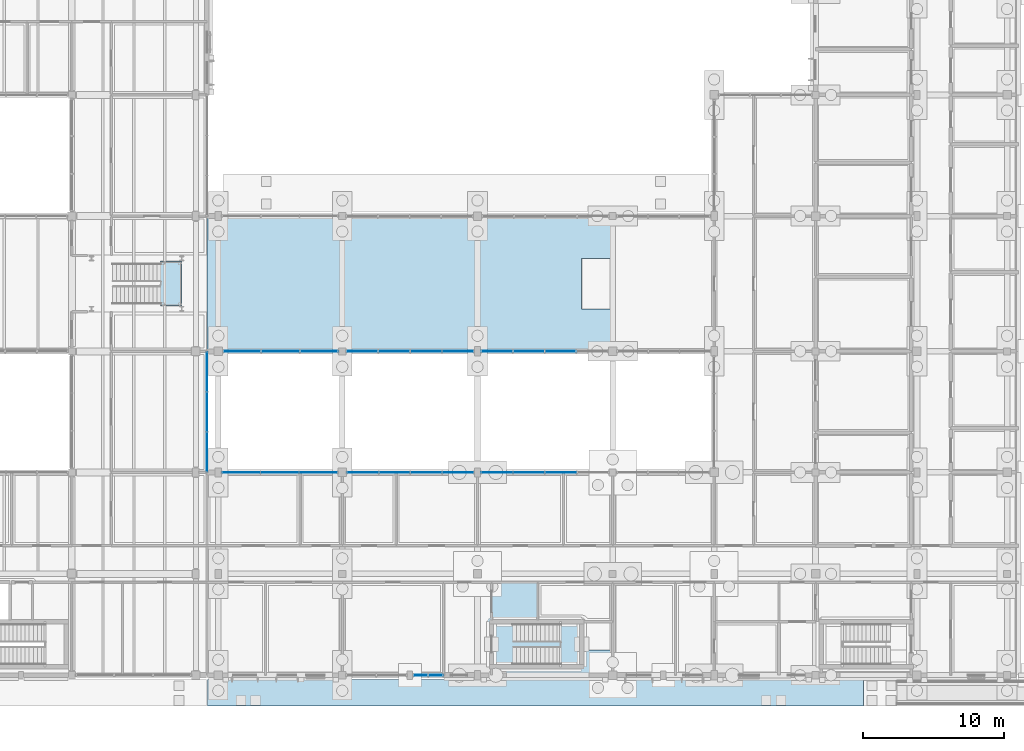
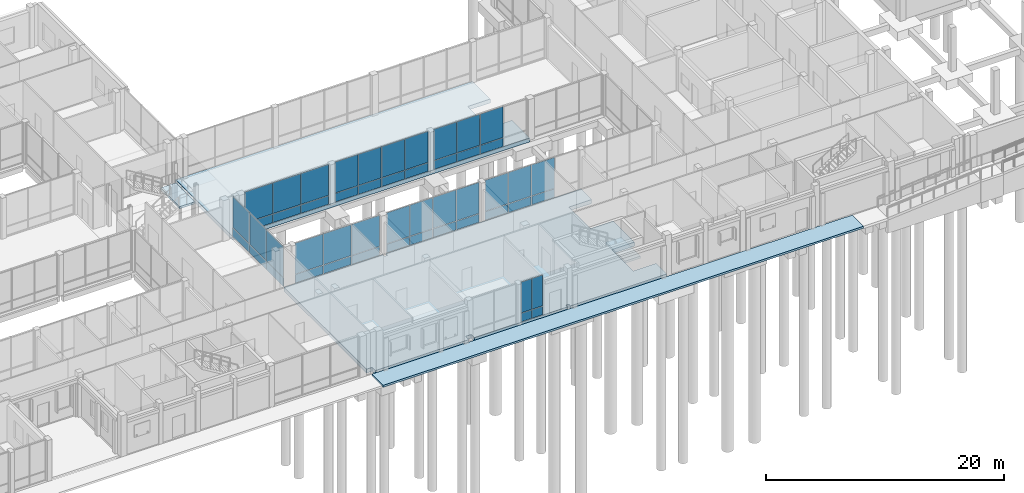
# One storey, part 66 of 104: 50 plates, 5 slabs, 10 elements without a shape of their own.
"""IFC4 building model written with IfcOpenShell, lengths in metres."""

from ifc_helpers import new_model, si_unit, direction, frame, origin, origin_2d, place, context, subcontext, project, spatial, polyline, rectangle, outline, extrude, material, layer, layer_set, type_object, element, aggregate, save


model = new_model("IFC4")

# Units and contexts
model_context = context("Model", 3, precision=1e-05, world=origin(), true_north=direction((0.0, 1.0)))
body_context = subcontext(model_context, "Body", "Model", "MODEL_VIEW")
ifc_project = project(units=[si_unit("LENGTHUNIT", "METRE"), si_unit("AREAUNIT", "SQUARE_METRE"), si_unit("VOLUMEUNIT", "CUBIC_METRE"), si_unit("PLANEANGLEUNIT", "RADIAN"), si_unit("MASSUNIT", "GRAM", prefix="KILO")], contexts=[model_context])

# Site, building, storey
site_placement = place(None, origin())
site = spatial("IfcSite", under=ifc_project, at=site_placement, CompositionType="ELEMENT")
building_placement = place(site_placement, origin())
building = spatial("IfcBuilding", under=site, at=building_placement, Name="Hawrajan Terrace Health Centre", CompositionType="ELEMENT")
storey_placement = place(building_placement, origin())
storey = spatial("IfcBuildingStorey", under=building, at=storey_placement, Name="L00", CompositionType="ELEMENT", Elevation=0.0)

# Slabs
ifc_material_1 = material(Name="Concrete C40/50", Category="concrete")
ifc_layer_1 = layer(ifc_material_1, 0.39990234375)
ifc_layer_set_1 = layer_set([ifc_layer_1], Name="Concrete C40/50")
slab_type_1 = type_object("IfcSlabType", Name="BaseSlab_RC400", PredefinedType="BASESLAB", material=ifc_layer_set_1)
slab_1_placement = place(storey_placement, frame((0.0, 0.0, -0.39990234375)))
element("IfcSlab", 1, at=slab_1_placement, inside=storey, type_object=slab_type_1, Name="Structural slab SL-L00-C-V1-Z3-1", PredefinedType="BASESLAB", context=body_context, shape_type="SweptSolid", body=[
    extrude(outline(polyline([(71.804931640625, 36.800048828125), (81.39990234375, 36.800048828125), (91.0, 36.800048828125), (100.60009765625, 36.800048828125), (100.60009765625, 33.800048828125), (98.39990234375, 33.800048828125), (98.39990234375, 30.199951171875), (100.60009765625, 30.199951171875), (100.60009765625, 27.199951171875), (91.0, 27.199951171875), (81.39990234375, 27.199951171875), (71.804931640625, 27.199951171875), (71.804931640625, 36.800048828125)])), origin(), (0.0, 0.0, 1.0), 0.39990234375),
])
slab_2_placement = place(storey_placement, frame((0.0, 0.0, -0.39990234375)))
element("IfcSlab", 2, at=slab_2_placement, inside=storey, type_object=slab_type_1, Name="Structural slab SL-L00-C-V3-Z3-1", PredefinedType="BASESLAB", context=body_context, shape_type="SweptSolid", body=[
    extrude(outline(polyline([(81.39990234375, 18.60009765625), (81.39990234375, 18.320068359375), (81.679931640625, 18.320068359375), (81.679931640625, 18.60009765625), (91.0, 18.60009765625), (100.60009765625, 18.60009765625), (100.60009765625, 18.320068359375), (100.60009765625, 16.800048828125), (98.39990234375, 16.800048828125), (98.39990234375, 13.199951171875), (100.60009765625, 13.199951171875), (100.60009765625, 11.39990234375), (100.60009765625, 9.60009765625), (98.39990234375, 9.60009765625), (98.39990234375, 6.0), (100.60009765625, 6.0), (100.60009765625, 4.199951171875), (91.280029296875, 4.199951171875), (91.280029296875, 4.47998046875), (91.0, 4.47998046875), (91.0, 4.199951171875), (81.949951171875, 4.199951171875), (81.949951171875, 4.75), (81.39990234375, 4.75), (81.39990234375, 4.199951171875), (72.35009765625, 4.199951171875), (72.35009765625, 4.75), (71.804931640625, 4.75), (71.804931640625, 11.39990234375), (71.804931640625, 18.60009765625), (81.39990234375, 18.60009765625)])), origin(), (0.0, 0.0, 1.0), 0.39990234375),
])

# Curtain wall, plates
ifc_material_2 = material(Name="Anodized bronze aluminium and low-E solar glazing", Category="aluminium")
curtain_wall_type_1 = type_object("IfcCurtainWallType", Name="CW_Hall_SeriesD2", PredefinedType="USERDEFINED", material=ifc_material_2)
curtain_wall_1_placement = place(storey_placement, origin())
curtain_wall_1 = element("IfcCurtainWall", 3, at=curtain_wall_1_placement, inside=storey, type_object=curtain_wall_type_1, Name="Curtain wall CW-L00-035", ObjectType="UNITISED CURTAIN WALL", PredefinedType="USERDEFINED")
ifc_material_3 = material(Name="Diffused north-light insulated glazing", Category="glass")
ifc_layer_2 = layer(ifc_material_3, 0.031982421875)
ifc_layer_set_2 = layer_set([ifc_layer_2], Name="Diffused north-light insulated glazing")
plate_type_1 = type_object("IfcPlateType", Name="ClerestoryGlassPanel_32", PredefinedType="CURTAIN_PANEL", material=ifc_layer_set_2)
plate_1_placement = place(storey_placement, frame((74.300048828125, 27.199951171875, 0.981689453125), z_axis=(0.0, 0.0, 1.0), x_axis=(1.0, 0.0, 0.0)))
plate_1 = element("IfcPlate", 4, at=plate_1_placement, type_object=plate_type_1, Name="Curtain panel CW-L00-035-P1-2", PredefinedType="CURTAIN_PANEL", context=body_context, shape_type="SweptSolid", body=[
    extrude(rectangle(XDim=2.662109375, YDim=0.031982421875, at=origin_2d()), origin(), (0.0, 0.0, 1.0), 3.1494140625),
])
plate_2_placement = place(storey_placement, frame((77.02490234375, 27.199951171875, 0.981689453125), z_axis=(0.0, 0.0, 1.0), x_axis=(1.0, 0.0, 0.0)))
plate_2 = element("IfcPlate", 5, at=plate_2_placement, type_object=plate_type_1, Name="Curtain panel CW-L00-035-P2-2", PredefinedType="CURTAIN_PANEL", context=body_context, shape_type="SweptSolid", body=[
    extrude(rectangle(XDim=2.662109375, YDim=0.031982421875, at=origin_2d()), origin(), (0.0, 0.0, 1.0), 3.1494140625),
])
plate_3_placement = place(storey_placement, frame((79.75, 27.199951171875, 0.981689453125), z_axis=(0.0, 0.0, 1.0), x_axis=(1.0, 0.0, 0.0)))
plate_3 = element("IfcPlate", 6, at=plate_3_placement, type_object=plate_type_1, Name="Curtain panel CW-L00-035-P3-2", PredefinedType="CURTAIN_PANEL", context=body_context, shape_type="SweptSolid", body=[
    extrude(rectangle(XDim=2.662109375, YDim=0.031982421875, at=origin_2d()), origin(), (0.0, 0.0, 1.0), 3.1494140625),
])

curtain_wall_type_2 = type_object("IfcCurtainWallType", Name="CW_Garden_SeriesF1", PredefinedType="USERDEFINED", material=ifc_material_2)
curtain_wall_2_placement = place(storey_placement, origin())
curtain_wall_2 = element("IfcCurtainWall", 7, at=curtain_wall_2_placement, inside=storey, type_object=curtain_wall_type_2, Name="Curtain wall CW-L00-038", ObjectType="UNITISED CURTAIN WALL", PredefinedType="USERDEFINED")
plate_4_placement = place(storey_placement, frame((86.96875, 4.199951171875, 0.981689453125), z_axis=(0.0, 0.0, 1.0), x_axis=(1.0, 0.0, 0.0)))
plate_4 = element("IfcPlate", 8, at=plate_4_placement, type_object=plate_type_1, Name="Curtain panel CW-L00-038-P1-2", PredefinedType="CURTAIN_PANEL", context=body_context, shape_type="SweptSolid", body=[
    extrude(rectangle(XDim=0.99951171875, YDim=0.031982421875, at=origin_2d()), origin(), (0.0, 0.0, 1.0), 3.1494140625),
])
plate_5_placement = place(storey_placement, frame((88.03125, 4.199951171875, 0.981689453125), z_axis=(0.0, 0.0, 1.0), x_axis=(1.0, 0.0, 0.0)))
plate_5 = element("IfcPlate", 9, at=plate_5_placement, type_object=plate_type_1, Name="Curtain panel CW-L00-038-P2-2", PredefinedType="CURTAIN_PANEL", context=body_context, shape_type="SweptSolid", body=[
    extrude(rectangle(XDim=0.99951171875, YDim=0.031982421875, at=origin_2d()), origin(), (0.0, 0.0, 1.0), 3.1494140625),
])

# Slab
ifc_layer_3 = layer(ifc_material_1, 0.199951171875)
ifc_layer_set_3 = layer_set([ifc_layer_3], Name="Concrete C40/50")
slab_type_2 = type_object("IfcSlabType", Name="SiteApronPaving_RC200", PredefinedType="BASESLAB", material=ifc_layer_set_3)
slab_3_placement = place(storey_placement, frame((0.0, 0.0, -0.199951171875)))
element("IfcSlab", 10, at=slab_3_placement, inside=storey, type_object=slab_type_2, Name="South street promenade east apron APRON-L00-SOUTH-E", PredefinedType="BASESLAB", context=body_context, shape_type="SweptSolid", body=[
    extrude(outline(polyline([(71.824951171875, 2.0), (118.39990234375, 2.0), (118.39990234375, 3.889892578125), (71.824951171875, 3.889892578125), (71.824951171875, 2.0)])), origin(), (0.0, 0.0, 1.0), 0.199951171875),
])

# Curtain wall, plates
curtain_wall_type_3 = type_object("IfcCurtainWallType", Name="CW_Hall_SeriesD1", PredefinedType="USERDEFINED", material=ifc_material_2)
curtain_wall_3_placement = place(storey_placement, origin())
curtain_wall_3 = element("IfcCurtainWall", 11, at=curtain_wall_3_placement, inside=storey, type_object=curtain_wall_type_3, Name="Curtain wall CW-L00-034", ObjectType="UNITISED CURTAIN WALL", PredefinedType="USERDEFINED")
ifc_material_4 = material(Name="Insulated anodized bronze spandrel panel")
ifc_layer_4 = layer(ifc_material_4, 0.048095703125)
ifc_layer_set_4 = layer_set([ifc_layer_4], Name="Insulated anodized bronze spandrel panel")
plate_type_2 = type_object("IfcPlateType", Name="SpandrelPanel_Bronze48", PredefinedType="CURTAIN_PANEL", material=ifc_layer_set_4)
plate_6_placement = place(storey_placement, frame((74.225830078125, 18.60009765625, 0.05908203125), z_axis=(0.0, 0.0, 1.0), x_axis=(1.0, 0.0, 0.0)))
plate_6 = element("IfcPlate", 12, at=plate_6_placement, type_object=plate_type_2, Name="Curtain panel CW-L00-034-P1-1", PredefinedType="CURTAIN_PANEL", context=body_context, shape_type="SweptSolid", body=[
    extrude(rectangle(XDim=2.68359375, YDim=0.048095703125, at=origin_2d()), origin(), (0.0, 0.0, 1.0), 0.864501953125),
])
plate_7_placement = place(storey_placement, frame((76.96240234375, 18.60009765625, 0.05908203125), z_axis=(0.0, 0.0, 1.0), x_axis=(1.0, 0.0, 0.0)))
plate_7 = element("IfcPlate", 13, at=plate_7_placement, type_object=plate_type_2, Name="Curtain panel CW-L00-034-P2-1", PredefinedType="CURTAIN_PANEL", context=body_context, shape_type="SweptSolid", body=[
    extrude(rectangle(XDim=2.68359375, YDim=0.048095703125, at=origin_2d()), origin(), (0.0, 0.0, 1.0), 0.864501953125),
])
plate_8_placement = place(storey_placement, frame((79.69921875, 18.60009765625, 0.05908203125), z_axis=(0.0, 0.0, 1.0), x_axis=(1.0, 0.0, 0.0)))
plate_8 = element("IfcPlate", 14, at=plate_8_placement, type_object=plate_type_2, Name="Curtain panel CW-L00-034-P3-1", PredefinedType="CURTAIN_PANEL", context=body_context, shape_type="SweptSolid", body=[
    extrude(rectangle(XDim=2.68359375, YDim=0.048095703125, at=origin_2d()), origin(), (0.0, 0.0, 1.0), 0.864501953125),
])

# Plate
plate_9_placement = place(storey_placement, frame((86.96875, 4.199951171875, 0.06884765625), z_axis=(0.0, 0.0, 1.0), x_axis=(1.0, 0.0, 0.0)))
plate_9 = element("IfcPlate", 15, at=plate_9_placement, type_object=plate_type_2, Name="Curtain panel CW-L00-038-P1-1", PredefinedType="CURTAIN_PANEL", context=body_context, shape_type="SweptSolid", body=[
    extrude(rectangle(XDim=0.99951171875, YDim=0.048095703125, at=origin_2d()), origin(), (0.0, 0.0, 1.0), 0.849609375),
])

plate_10_placement = place(storey_placement, frame((88.03125, 4.199951171875, 0.06884765625), z_axis=(0.0, 0.0, 1.0), x_axis=(1.0, 0.0, 0.0)))
plate_10 = element("IfcPlate", 16, at=plate_10_placement, type_object=plate_type_2, Name="Curtain panel CW-L00-038-P2-1", PredefinedType="CURTAIN_PANEL", context=body_context, shape_type="SweptSolid", body=[
    extrude(rectangle(XDim=0.99951171875, YDim=0.048095703125, at=origin_2d()), origin(), (0.0, 0.0, 1.0), 0.849609375),
])

aggregate(curtain_wall_2, [plate_9, plate_4, plate_10, plate_5])

# Curtain wall, plates
curtain_wall_type_4 = type_object("IfcCurtainWallType", Name="CW_Clerestory_SeriesG1", PredefinedType="USERDEFINED", material=ifc_material_2)
curtain_wall_4_placement = place(storey_placement, origin())
curtain_wall_4 = element("IfcCurtainWall", 17, at=curtain_wall_4_placement, inside=storey, type_object=curtain_wall_type_4, Name="Curtain wall CW-L00-040", ObjectType="UNITISED CURTAIN WALL", PredefinedType="USERDEFINED")
plate_11_placement = place(storey_placement, frame((82.81494140625, 27.199951171875, 0.05908203125), z_axis=(0.0, 0.0, 1.0), x_axis=(1.0, 0.0, 0.0)))
plate_11 = element("IfcPlate", 18, at=plate_11_placement, type_object=plate_type_2, Name="Curtain panel CW-L00-040-P1-1", PredefinedType="CURTAIN_PANEL", context=body_context, shape_type="SweptSolid", body=[
    extrude(rectangle(XDim=2.2119140625, YDim=0.048095703125, at=origin_2d()), origin(), (0.0, 0.0, 1.0), 0.864501953125),
])
plate_12_placement = place(storey_placement, frame((85.080078125, 27.199951171875, 0.05908203125), z_axis=(0.0, 0.0, 1.0), x_axis=(1.0, 0.0, 0.0)))
plate_12 = element("IfcPlate", 19, at=plate_12_placement, type_object=plate_type_2, Name="Curtain panel CW-L00-040-P2-1", PredefinedType="CURTAIN_PANEL", context=body_context, shape_type="SweptSolid", body=[
    extrude(rectangle(XDim=2.2119140625, YDim=0.048095703125, at=origin_2d()), origin(), (0.0, 0.0, 1.0), 0.864501953125),
])
plate_13_placement = place(storey_placement, frame((87.344970703125, 27.199951171875, 0.05908203125), z_axis=(0.0, 0.0, 1.0), x_axis=(1.0, 0.0, 0.0)))
plate_13 = element("IfcPlate", 20, at=plate_13_placement, type_object=plate_type_2, Name="Curtain panel CW-L00-040-P3-1", PredefinedType="CURTAIN_PANEL", context=body_context, shape_type="SweptSolid", body=[
    extrude(rectangle(XDim=2.2119140625, YDim=0.048095703125, at=origin_2d()), origin(), (0.0, 0.0, 1.0), 0.864501953125),
])
plate_14_placement = place(storey_placement, frame((89.610107421875, 27.199951171875, 0.05908203125), z_axis=(0.0, 0.0, 1.0), x_axis=(1.0, 0.0, 0.0)))
plate_14 = element("IfcPlate", 21, at=plate_14_placement, type_object=plate_type_2, Name="Curtain panel CW-L00-040-P4-1", PredefinedType="CURTAIN_PANEL", context=body_context, shape_type="SweptSolid", body=[
    extrude(rectangle(XDim=2.2119140625, YDim=0.048095703125, at=origin_2d()), origin(), (0.0, 0.0, 1.0), 0.864501953125),
])

curtain_wall_type_5 = type_object("IfcCurtainWallType", Name="CW_Clerestory_SeriesG3", PredefinedType="USERDEFINED", material=ifc_material_2)
curtain_wall_5_placement = place(storey_placement, origin())
curtain_wall_5 = element("IfcCurtainWall", 22, at=curtain_wall_5_placement, inside=storey, type_object=curtain_wall_type_5, Name="Curtain wall CW-L00-042", ObjectType="UNITISED CURTAIN WALL", PredefinedType="USERDEFINED")
plate_15_placement = place(storey_placement, frame((92.389892578125, 18.60009765625, 0.05908203125), z_axis=(0.0, 0.0, 1.0), x_axis=(1.0, 0.0, 0.0)))
plate_15 = element("IfcPlate", 23, at=plate_15_placement, type_object=plate_type_2, Name="Curtain panel CW-L00-042-P1-1", PredefinedType="CURTAIN_PANEL", context=body_context, shape_type="SweptSolid", body=[
    extrude(rectangle(XDim=2.2119140625, YDim=0.048095703125, at=origin_2d()), origin(), (0.0, 0.0, 1.0), 0.864501953125),
])
plate_16_placement = place(storey_placement, frame((94.655029296875, 18.60009765625, 0.05908203125), z_axis=(0.0, 0.0, 1.0), x_axis=(1.0, 0.0, 0.0)))
plate_16 = element("IfcPlate", 24, at=plate_16_placement, type_object=plate_type_2, Name="Curtain panel CW-L00-042-P2-1", PredefinedType="CURTAIN_PANEL", context=body_context, shape_type="SweptSolid", body=[
    extrude(rectangle(XDim=2.2119140625, YDim=0.048095703125, at=origin_2d()), origin(), (0.0, 0.0, 1.0), 0.864501953125),
])
plate_17_placement = place(storey_placement, frame((96.919921875, 18.60009765625, 0.05908203125), z_axis=(0.0, 0.0, 1.0), x_axis=(1.0, 0.0, 0.0)))
plate_17 = element("IfcPlate", 25, at=plate_17_placement, type_object=plate_type_2, Name="Curtain panel CW-L00-042-P3-1", PredefinedType="CURTAIN_PANEL", context=body_context, shape_type="SweptSolid", body=[
    extrude(rectangle(XDim=2.2119140625, YDim=0.048095703125, at=origin_2d()), origin(), (0.0, 0.0, 1.0), 0.864501953125),
])

curtain_wall_type_6 = type_object("IfcCurtainWallType", Name="CW_CourtNS_SeriesC1", PredefinedType="USERDEFINED", material=ifc_material_2)
curtain_wall_6_placement = place(storey_placement, origin())
curtain_wall_6 = element("IfcCurtainWall", 26, at=curtain_wall_6_placement, inside=storey, type_object=curtain_wall_type_6, Name="Curtain wall CW-L00-031", ObjectType="UNITISED CURTAIN WALL", PredefinedType="USERDEFINED")
ifc_material_5 = material(Name="Insulated reconstituted coral-stone spandrel", Category="masonry")
ifc_layer_5 = layer(ifc_material_5, 0.055908203125)
ifc_layer_set_5 = layer_set([ifc_layer_5], Name="Insulated reconstituted coral-stone spandrel")
plate_type_3 = type_object("IfcPlateType", Name="SpandrelPanel_Coral56", PredefinedType="CURTAIN_PANEL", material=ifc_layer_set_5)
plate_18_placement = place(storey_placement, frame((71.794921875, 20.054931640625, 0.05908203125), z_axis=(0.0, 0.0, 1.0), x_axis=(0.0, 1.0, 0.0)))
plate_18 = element("IfcPlate", 27, at=plate_18_placement, type_object=plate_type_3, Name="Curtain panel CW-L00-031-P1-1", PredefinedType="CURTAIN_PANEL", context=body_context, shape_type="SweptSolid", body=[
    extrude(rectangle(XDim=2.7919921875, YDim=0.055908203125, at=origin_2d()), origin(), (0.0, 0.0, 1.0), 0.864501953125),
])
plate_19_placement = place(storey_placement, frame((71.794921875, 22.89990234375, 0.05908203125), z_axis=(0.0, 0.0, 1.0), x_axis=(0.0, 1.0, 0.0)))
plate_19 = element("IfcPlate", 28, at=plate_19_placement, type_object=plate_type_3, Name="Curtain panel CW-L00-031-P2-1", PredefinedType="CURTAIN_PANEL", context=body_context, shape_type="SweptSolid", body=[
    extrude(rectangle(XDim=2.7919921875, YDim=0.055908203125, at=origin_2d()), origin(), (0.0, 0.0, 1.0), 0.864501953125),
])
plate_20_placement = place(storey_placement, frame((71.794921875, 25.7451171875, 0.05908203125), z_axis=(0.0, 0.0, 1.0), x_axis=(0.0, 1.0, 0.0)))
plate_20 = element("IfcPlate", 29, at=plate_20_placement, type_object=plate_type_3, Name="Curtain panel CW-L00-031-P3-1", PredefinedType="CURTAIN_PANEL", context=body_context, shape_type="SweptSolid", body=[
    extrude(rectangle(XDim=2.7919921875, YDim=0.055908203125, at=origin_2d()), origin(), (0.0, 0.0, 1.0), 0.864501953125),
])

# Plate
plate_21_placement = place(storey_placement, frame((74.300048828125, 27.199951171875, 0.06884765625), z_axis=(0.0, 0.0, 1.0), x_axis=(1.0, 0.0, 0.0)))
plate_21 = element("IfcPlate", 30, at=plate_21_placement, type_object=plate_type_3, Name="Curtain panel CW-L00-035-P1-1", PredefinedType="CURTAIN_PANEL", context=body_context, shape_type="SweptSolid", body=[
    extrude(rectangle(XDim=2.662109375, YDim=0.055908203125, at=origin_2d()), origin(), (0.0, 0.0, 1.0), 0.849609375),
])

plate_22_placement = place(storey_placement, frame((77.02490234375, 27.199951171875, 0.06884765625), z_axis=(0.0, 0.0, 1.0), x_axis=(1.0, 0.0, 0.0)))
plate_22 = element("IfcPlate", 31, at=plate_22_placement, type_object=plate_type_3, Name="Curtain panel CW-L00-035-P2-1", PredefinedType="CURTAIN_PANEL", context=body_context, shape_type="SweptSolid", body=[
    extrude(rectangle(XDim=2.662109375, YDim=0.055908203125, at=origin_2d()), origin(), (0.0, 0.0, 1.0), 0.849609375),
])

plate_23_placement = place(storey_placement, frame((79.75, 27.199951171875, 0.06884765625), z_axis=(0.0, 0.0, 1.0), x_axis=(1.0, 0.0, 0.0)))
plate_23 = element("IfcPlate", 32, at=plate_23_placement, type_object=plate_type_3, Name="Curtain panel CW-L00-035-P3-1", PredefinedType="CURTAIN_PANEL", context=body_context, shape_type="SweptSolid", body=[
    extrude(rectangle(XDim=2.662109375, YDim=0.055908203125, at=origin_2d()), origin(), (0.0, 0.0, 1.0), 0.849609375),
])

aggregate(curtain_wall_1, [plate_21, plate_1, plate_22, plate_2, plate_23, plate_3])

# Curtain wall, plates
curtain_wall_type_7 = type_object("IfcCurtainWallType", Name="CW_Garden_SeriesF2", PredefinedType="USERDEFINED", material=ifc_material_2)
curtain_wall_7_placement = place(storey_placement, origin())
curtain_wall_7 = element("IfcCurtainWall", 33, at=curtain_wall_7_placement, inside=storey, type_object=curtain_wall_type_7, Name="Curtain wall CW-L00-039", ObjectType="UNITISED CURTAIN WALL", PredefinedType="USERDEFINED")
plate_24_placement = place(storey_placement, frame((82.85888671875, 18.60009765625, 0.05908203125), z_axis=(0.0, 0.0, 1.0), x_axis=(1.0, 0.0, 0.0)))
plate_24 = element("IfcPlate", 34, at=plate_24_placement, type_object=plate_type_3, Name="Curtain panel CW-L00-039-P1-1", PredefinedType="CURTAIN_PANEL", context=body_context, shape_type="SweptSolid", body=[
    extrude(rectangle(XDim=2.199462890625, YDim=0.055908203125, at=origin_2d()), origin(), (0.0, 0.0, 1.0), 0.864501953125),
])
plate_25_placement = place(storey_placement, frame((85.111083984375, 18.60009765625, 0.05908203125), z_axis=(0.0, 0.0, 1.0), x_axis=(1.0, 0.0, 0.0)))
plate_25 = element("IfcPlate", 35, at=plate_25_placement, type_object=plate_type_3, Name="Curtain panel CW-L00-039-P2-1", PredefinedType="CURTAIN_PANEL", context=body_context, shape_type="SweptSolid", body=[
    extrude(rectangle(XDim=2.199462890625, YDim=0.055908203125, at=origin_2d()), origin(), (0.0, 0.0, 1.0), 0.864501953125),
])
plate_26_placement = place(storey_placement, frame((87.36376953125, 18.60009765625, 0.05908203125), z_axis=(0.0, 0.0, 1.0), x_axis=(1.0, 0.0, 0.0)))
plate_26 = element("IfcPlate", 36, at=plate_26_placement, type_object=plate_type_3, Name="Curtain panel CW-L00-039-P3-1", PredefinedType="CURTAIN_PANEL", context=body_context, shape_type="SweptSolid", body=[
    extrude(rectangle(XDim=2.199462890625, YDim=0.055908203125, at=origin_2d()), origin(), (0.0, 0.0, 1.0), 0.864501953125),
])
plate_27_placement = place(storey_placement, frame((89.6162109375, 18.60009765625, 0.05908203125), z_axis=(0.0, 0.0, 1.0), x_axis=(1.0, 0.0, 0.0)))
plate_27 = element("IfcPlate", 37, at=plate_27_placement, type_object=plate_type_3, Name="Curtain panel CW-L00-039-P4-1", PredefinedType="CURTAIN_PANEL", context=body_context, shape_type="SweptSolid", body=[
    extrude(rectangle(XDim=2.199462890625, YDim=0.055908203125, at=origin_2d()), origin(), (0.0, 0.0, 1.0), 0.864501953125),
])

curtain_wall_type_8 = type_object("IfcCurtainWallType", Name="CW_Vestibule_SeriesH1", PredefinedType="USERDEFINED", material=ifc_material_2)
curtain_wall_8_placement = place(storey_placement, origin())
curtain_wall_8 = element("IfcCurtainWall", 38, at=curtain_wall_8_placement, inside=storey, type_object=curtain_wall_type_8, Name="Curtain wall CW-L00-043", ObjectType="UNITISED CURTAIN WALL", PredefinedType="USERDEFINED")
plate_28_placement = place(storey_placement, frame((92.3837890625, 27.199951171875, 0.05908203125), z_axis=(0.0, 0.0, 1.0), x_axis=(1.0, 0.0, 0.0)))
plate_28 = element("IfcPlate", 39, at=plate_28_placement, type_object=plate_type_3, Name="Curtain panel CW-L00-043-P1-1", PredefinedType="CURTAIN_PANEL", context=body_context, shape_type="SweptSolid", body=[
    extrude(rectangle(XDim=2.199462890625, YDim=0.055908203125, at=origin_2d()), origin(), (0.0, 0.0, 1.0), 0.864501953125),
])
plate_29_placement = place(storey_placement, frame((94.63623046875, 27.199951171875, 0.05908203125), z_axis=(0.0, 0.0, 1.0), x_axis=(1.0, 0.0, 0.0)))
plate_29 = element("IfcPlate", 40, at=plate_29_placement, type_object=plate_type_3, Name="Curtain panel CW-L00-043-P2-1", PredefinedType="CURTAIN_PANEL", context=body_context, shape_type="SweptSolid", body=[
    extrude(rectangle(XDim=2.199462890625, YDim=0.055908203125, at=origin_2d()), origin(), (0.0, 0.0, 1.0), 0.864501953125),
])
plate_30_placement = place(storey_placement, frame((96.888916015625, 27.199951171875, 0.05908203125), z_axis=(0.0, 0.0, 1.0), x_axis=(1.0, 0.0, 0.0)))
plate_30 = element("IfcPlate", 41, at=plate_30_placement, type_object=plate_type_3, Name="Curtain panel CW-L00-043-P3-1", PredefinedType="CURTAIN_PANEL", context=body_context, shape_type="SweptSolid", body=[
    extrude(rectangle(XDim=2.199462890625, YDim=0.055908203125, at=origin_2d()), origin(), (0.0, 0.0, 1.0), 0.864501953125),
])

# Stair, slab
stair_type_1 = type_object("IfcStairType", Name="Stair_4500_W1300", PredefinedType="HALF_TURN_STAIR", material=ifc_material_1)
stair_1_placement = place(storey_placement, origin())
stair_1 = element("IfcStair", 42, at=stair_1_placement, inside=storey, type_object=stair_type_1, Name="Stair ST-5-L00", PredefinedType="HALF_TURN_STAIR")
ifc_layer_6 = layer(ifc_material_1, 0.219970703125)
ifc_layer_set_6 = layer_set([ifc_layer_6], Name="Concrete C40/50")
slab_type_3 = type_object("IfcSlabType", Name="StairLanding_RC220", PredefinedType="LANDING", material=ifc_layer_set_6)
slab_4_placement = place(storey_placement, frame((0.0, 0.0, 2.030029296875)))
slab_4 = element("IfcSlab", 43, at=slab_4_placement, type_object=slab_type_3, Name="Stair half landing ST-5-L00-L1", PredefinedType="LANDING", context=body_context, shape_type="SweptSolid", body=[
    extrude(outline(polyline([(96.89990234375, 4.800048828125), (98.39990234375, 4.800048828125), (98.39990234375, 8.0), (96.89990234375, 8.0), (96.89990234375, 4.800048828125)])), origin(), (0.0, 0.0, 1.0), 0.219970703125),
])
aggregate(stair_1, [slab_4])

stair_type_2 = type_object("IfcStairType", Name="FeatureStair_4500_W1300", PredefinedType="HALF_TURN_STAIR", material=ifc_material_1)
stair_2_placement = place(storey_placement, origin())
stair_2 = element("IfcStair", 44, at=stair_2_placement, inside=storey, type_object=stair_type_2, Name="Stair ST-10-L00", PredefinedType="HALF_TURN_STAIR")
slab_5_placement = place(storey_placement, frame((0.0, 0.0, 2.030029296875)))
slab_5 = element("IfcSlab", 45, at=slab_5_placement, type_object=slab_type_3, Name="Stair half landing ST-10-L00-L1", PredefinedType="LANDING", context=body_context, shape_type="SweptSolid", body=[
    extrude(outline(polyline([(68.5, 30.39990234375), (70.0, 30.39990234375), (70.0, 33.60009765625), (68.5, 33.60009765625), (68.5, 30.39990234375)])), origin(), (0.0, 0.0, 1.0), 0.219970703125),
])
aggregate(stair_2, [slab_5])

# Plate
ifc_material_6 = material(Name="Double-glazed solar control low-E glass", Category="glass")
ifc_layer_7 = layer(ifc_material_6, 0.028076171875)
ifc_layer_set_7 = layer_set([ifc_layer_7], Name="Double-glazed solar control low-E glass")
plate_type_4 = type_object("IfcPlateType", Name="VisionGlassPanel_28", PredefinedType="CURTAIN_PANEL", material=ifc_layer_set_7)
plate_31_placement = place(storey_placement, frame((82.85888671875, 18.60009765625, 0.9765625), z_axis=(0.0, 0.0, 1.0), x_axis=(1.0, 0.0, 0.0)))
plate_31 = element("IfcPlate", 46, at=plate_31_placement, type_object=plate_type_4, Name="Curtain panel CW-L00-039-P1-2", PredefinedType="CURTAIN_PANEL", context=body_context, shape_type="SweptSolid", body=[
    extrude(rectangle(XDim=2.199462890625, YDim=0.028076171875, at=origin_2d()), origin(), (0.0, 0.0, 1.0), 3.16455078125),
])

plate_32_placement = place(storey_placement, frame((85.111083984375, 18.60009765625, 0.9765625), z_axis=(0.0, 0.0, 1.0), x_axis=(1.0, 0.0, 0.0)))
plate_32 = element("IfcPlate", 47, at=plate_32_placement, type_object=plate_type_4, Name="Curtain panel CW-L00-039-P2-2", PredefinedType="CURTAIN_PANEL", context=body_context, shape_type="SweptSolid", body=[
    extrude(rectangle(XDim=2.199462890625, YDim=0.028076171875, at=origin_2d()), origin(), (0.0, 0.0, 1.0), 3.16455078125),
])

plate_33_placement = place(storey_placement, frame((87.36376953125, 18.60009765625, 0.9765625), z_axis=(0.0, 0.0, 1.0), x_axis=(1.0, 0.0, 0.0)))
plate_33 = element("IfcPlate", 48, at=plate_33_placement, type_object=plate_type_4, Name="Curtain panel CW-L00-039-P3-2", PredefinedType="CURTAIN_PANEL", context=body_context, shape_type="SweptSolid", body=[
    extrude(rectangle(XDim=2.199462890625, YDim=0.028076171875, at=origin_2d()), origin(), (0.0, 0.0, 1.0), 3.16455078125),
])

plate_34_placement = place(storey_placement, frame((89.6162109375, 18.60009765625, 0.9765625), z_axis=(0.0, 0.0, 1.0), x_axis=(1.0, 0.0, 0.0)))
plate_34 = element("IfcPlate", 49, at=plate_34_placement, type_object=plate_type_4, Name="Curtain panel CW-L00-039-P4-2", PredefinedType="CURTAIN_PANEL", context=body_context, shape_type="SweptSolid", body=[
    extrude(rectangle(XDim=2.199462890625, YDim=0.028076171875, at=origin_2d()), origin(), (0.0, 0.0, 1.0), 3.16455078125),
])

aggregate(curtain_wall_7, [plate_24, plate_31, plate_25, plate_32, plate_26, plate_33, plate_27, plate_34])

plate_35_placement = place(storey_placement, frame((92.389892578125, 18.60009765625, 0.9765625), z_axis=(0.0, 0.0, 1.0), x_axis=(1.0, 0.0, 0.0)))
plate_35 = element("IfcPlate", 50, at=plate_35_placement, type_object=plate_type_4, Name="Curtain panel CW-L00-042-P1-2", PredefinedType="CURTAIN_PANEL", context=body_context, shape_type="SweptSolid", body=[
    extrude(rectangle(XDim=2.2119140625, YDim=0.028076171875, at=origin_2d()), origin(), (0.0, 0.0, 1.0), 3.16455078125),
])

plate_36_placement = place(storey_placement, frame((94.655029296875, 18.60009765625, 0.9765625), z_axis=(0.0, 0.0, 1.0), x_axis=(1.0, 0.0, 0.0)))
plate_36 = element("IfcPlate", 51, at=plate_36_placement, type_object=plate_type_4, Name="Curtain panel CW-L00-042-P2-2", PredefinedType="CURTAIN_PANEL", context=body_context, shape_type="SweptSolid", body=[
    extrude(rectangle(XDim=2.2119140625, YDim=0.028076171875, at=origin_2d()), origin(), (0.0, 0.0, 1.0), 3.16455078125),
])

plate_37_placement = place(storey_placement, frame((96.919921875, 18.60009765625, 0.9765625), z_axis=(0.0, 0.0, 1.0), x_axis=(1.0, 0.0, 0.0)))
plate_37 = element("IfcPlate", 52, at=plate_37_placement, type_object=plate_type_4, Name="Curtain panel CW-L00-042-P3-2", PredefinedType="CURTAIN_PANEL", context=body_context, shape_type="SweptSolid", body=[
    extrude(rectangle(XDim=2.2119140625, YDim=0.028076171875, at=origin_2d()), origin(), (0.0, 0.0, 1.0), 3.16455078125),
])

aggregate(curtain_wall_5, [plate_15, plate_35, plate_16, plate_36, plate_17, plate_37])

ifc_material_7 = material(Name="Triple-glazed solar acoustic low-E glass", Category="glass")
ifc_layer_8 = layer(ifc_material_7, 0.035888671875)
ifc_layer_set_8 = layer_set([ifc_layer_8], Name="Triple-glazed solar acoustic low-E glass")
plate_type_5 = type_object("IfcPlateType", Name="VisionGlassPanel_36", PredefinedType="CURTAIN_PANEL", material=ifc_layer_set_8)
plate_38_placement = place(storey_placement, frame((71.794921875, 20.054931640625, 0.9765625), z_axis=(0.0, 0.0, 1.0), x_axis=(0.0, 1.0, 0.0)))
plate_38 = element("IfcPlate", 53, at=plate_38_placement, type_object=plate_type_5, Name="Curtain panel CW-L00-031-P1-2", PredefinedType="CURTAIN_PANEL", context=body_context, shape_type="SweptSolid", body=[
    extrude(rectangle(XDim=2.7919921875, YDim=0.035888671875, at=origin_2d()), origin(), (0.0, 0.0, 1.0), 3.16455078125),
])

plate_39_placement = place(storey_placement, frame((71.794921875, 22.89990234375, 0.9765625), z_axis=(0.0, 0.0, 1.0), x_axis=(0.0, 1.0, 0.0)))
plate_39 = element("IfcPlate", 54, at=plate_39_placement, type_object=plate_type_5, Name="Curtain panel CW-L00-031-P2-2", PredefinedType="CURTAIN_PANEL", context=body_context, shape_type="SweptSolid", body=[
    extrude(rectangle(XDim=2.7919921875, YDim=0.035888671875, at=origin_2d()), origin(), (0.0, 0.0, 1.0), 3.16455078125),
])

plate_40_placement = place(storey_placement, frame((71.794921875, 25.7451171875, 0.9765625), z_axis=(0.0, 0.0, 1.0), x_axis=(0.0, 1.0, 0.0)))
plate_40 = element("IfcPlate", 55, at=plate_40_placement, type_object=plate_type_5, Name="Curtain panel CW-L00-031-P3-2", PredefinedType="CURTAIN_PANEL", context=body_context, shape_type="SweptSolid", body=[
    extrude(rectangle(XDim=2.7919921875, YDim=0.035888671875, at=origin_2d()), origin(), (0.0, 0.0, 1.0), 3.16455078125),
])

aggregate(curtain_wall_6, [plate_18, plate_38, plate_19, plate_39, plate_20, plate_40])

plate_41_placement = place(storey_placement, frame((74.225830078125, 18.60009765625, 0.9765625), z_axis=(0.0, 0.0, 1.0), x_axis=(1.0, 0.0, 0.0)))
plate_41 = element("IfcPlate", 56, at=plate_41_placement, type_object=plate_type_5, Name="Curtain panel CW-L00-034-P1-2", PredefinedType="CURTAIN_PANEL", context=body_context, shape_type="SweptSolid", body=[
    extrude(rectangle(XDim=2.68359375, YDim=0.035888671875, at=origin_2d()), origin(), (0.0, 0.0, 1.0), 3.16455078125),
])

plate_42_placement = place(storey_placement, frame((76.96240234375, 18.60009765625, 0.9765625), z_axis=(0.0, 0.0, 1.0), x_axis=(1.0, 0.0, 0.0)))
plate_42 = element("IfcPlate", 57, at=plate_42_placement, type_object=plate_type_5, Name="Curtain panel CW-L00-034-P2-2", PredefinedType="CURTAIN_PANEL", context=body_context, shape_type="SweptSolid", body=[
    extrude(rectangle(XDim=2.68359375, YDim=0.035888671875, at=origin_2d()), origin(), (0.0, 0.0, 1.0), 3.16455078125),
])

plate_43_placement = place(storey_placement, frame((79.69921875, 18.60009765625, 0.9765625), z_axis=(0.0, 0.0, 1.0), x_axis=(1.0, 0.0, 0.0)))
plate_43 = element("IfcPlate", 58, at=plate_43_placement, type_object=plate_type_5, Name="Curtain panel CW-L00-034-P3-2", PredefinedType="CURTAIN_PANEL", context=body_context, shape_type="SweptSolid", body=[
    extrude(rectangle(XDim=2.68359375, YDim=0.035888671875, at=origin_2d()), origin(), (0.0, 0.0, 1.0), 3.16455078125),
])

aggregate(curtain_wall_3, [plate_6, plate_41, plate_7, plate_42, plate_8, plate_43])

plate_44_placement = place(storey_placement, frame((82.81494140625, 27.199951171875, 0.9765625), z_axis=(0.0, 0.0, 1.0), x_axis=(1.0, 0.0, 0.0)))
plate_44 = element("IfcPlate", 59, at=plate_44_placement, type_object=plate_type_5, Name="Curtain panel CW-L00-040-P1-2", PredefinedType="CURTAIN_PANEL", context=body_context, shape_type="SweptSolid", body=[
    extrude(rectangle(XDim=2.2119140625, YDim=0.035888671875, at=origin_2d()), origin(), (0.0, 0.0, 1.0), 3.16455078125),
])

plate_45_placement = place(storey_placement, frame((85.080078125, 27.199951171875, 0.9765625), z_axis=(0.0, 0.0, 1.0), x_axis=(1.0, 0.0, 0.0)))
plate_45 = element("IfcPlate", 60, at=plate_45_placement, type_object=plate_type_5, Name="Curtain panel CW-L00-040-P2-2", PredefinedType="CURTAIN_PANEL", context=body_context, shape_type="SweptSolid", body=[
    extrude(rectangle(XDim=2.2119140625, YDim=0.035888671875, at=origin_2d()), origin(), (0.0, 0.0, 1.0), 3.16455078125),
])

plate_46_placement = place(storey_placement, frame((87.344970703125, 27.199951171875, 0.9765625), z_axis=(0.0, 0.0, 1.0), x_axis=(1.0, 0.0, 0.0)))
plate_46 = element("IfcPlate", 61, at=plate_46_placement, type_object=plate_type_5, Name="Curtain panel CW-L00-040-P3-2", PredefinedType="CURTAIN_PANEL", context=body_context, shape_type="SweptSolid", body=[
    extrude(rectangle(XDim=2.2119140625, YDim=0.035888671875, at=origin_2d()), origin(), (0.0, 0.0, 1.0), 3.16455078125),
])

plate_47_placement = place(storey_placement, frame((89.610107421875, 27.199951171875, 0.9765625), z_axis=(0.0, 0.0, 1.0), x_axis=(1.0, 0.0, 0.0)))
plate_47 = element("IfcPlate", 62, at=plate_47_placement, type_object=plate_type_5, Name="Curtain panel CW-L00-040-P4-2", PredefinedType="CURTAIN_PANEL", context=body_context, shape_type="SweptSolid", body=[
    extrude(rectangle(XDim=2.2119140625, YDim=0.035888671875, at=origin_2d()), origin(), (0.0, 0.0, 1.0), 3.16455078125),
])

aggregate(curtain_wall_4, [plate_11, plate_44, plate_12, plate_45, plate_13, plate_46, plate_14, plate_47])

plate_48_placement = place(storey_placement, frame((92.3837890625, 27.199951171875, 0.9765625), z_axis=(0.0, 0.0, 1.0), x_axis=(1.0, 0.0, 0.0)))
plate_48 = element("IfcPlate", 63, at=plate_48_placement, type_object=plate_type_5, Name="Curtain panel CW-L00-043-P1-2", PredefinedType="CURTAIN_PANEL", context=body_context, shape_type="SweptSolid", body=[
    extrude(rectangle(XDim=2.199462890625, YDim=0.035888671875, at=origin_2d()), origin(), (0.0, 0.0, 1.0), 3.16455078125),
])

plate_49_placement = place(storey_placement, frame((94.63623046875, 27.199951171875, 0.9765625), z_axis=(0.0, 0.0, 1.0), x_axis=(1.0, 0.0, 0.0)))
plate_49 = element("IfcPlate", 64, at=plate_49_placement, type_object=plate_type_5, Name="Curtain panel CW-L00-043-P2-2", PredefinedType="CURTAIN_PANEL", context=body_context, shape_type="SweptSolid", body=[
    extrude(rectangle(XDim=2.199462890625, YDim=0.035888671875, at=origin_2d()), origin(), (0.0, 0.0, 1.0), 3.16455078125),
])

plate_50_placement = place(storey_placement, frame((96.888916015625, 27.199951171875, 0.9765625), z_axis=(0.0, 0.0, 1.0), x_axis=(1.0, 0.0, 0.0)))
plate_50 = element("IfcPlate", 65, at=plate_50_placement, type_object=plate_type_5, Name="Curtain panel CW-L00-043-P3-2", PredefinedType="CURTAIN_PANEL", context=body_context, shape_type="SweptSolid", body=[
    extrude(rectangle(XDim=2.199462890625, YDim=0.035888671875, at=origin_2d()), origin(), (0.0, 0.0, 1.0), 3.16455078125),
])

aggregate(curtain_wall_8, [plate_28, plate_48, plate_29, plate_49, plate_30, plate_50])

save(model, "model.ifc")
